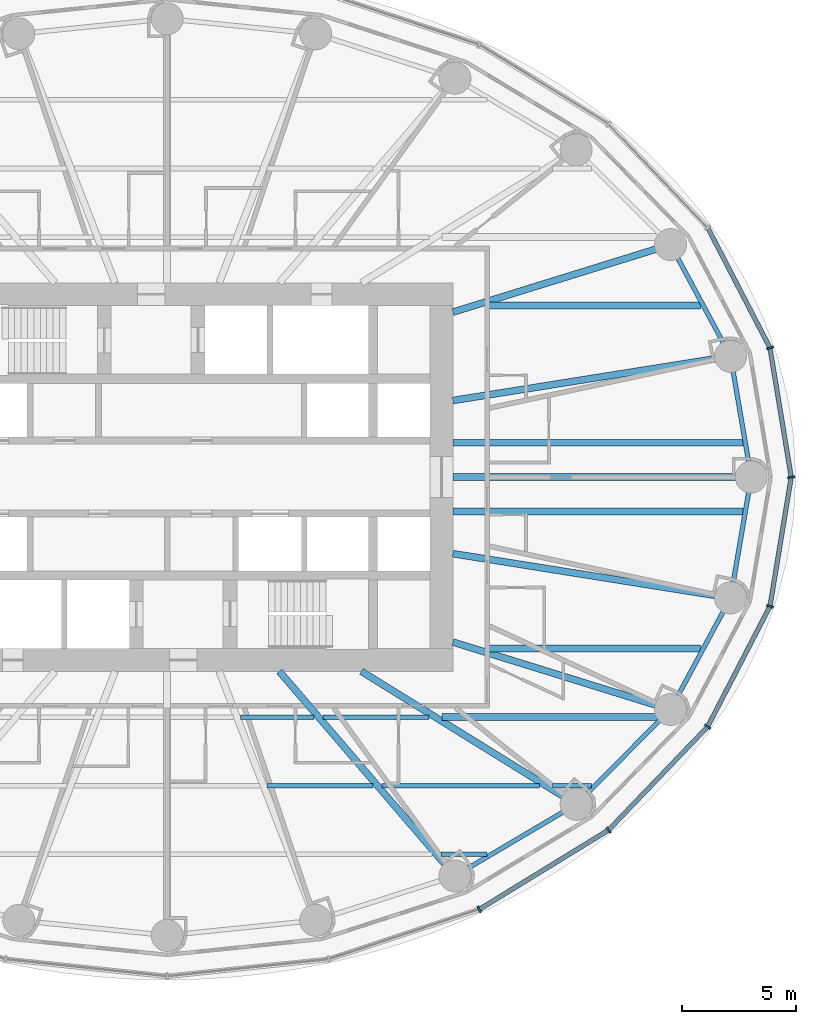
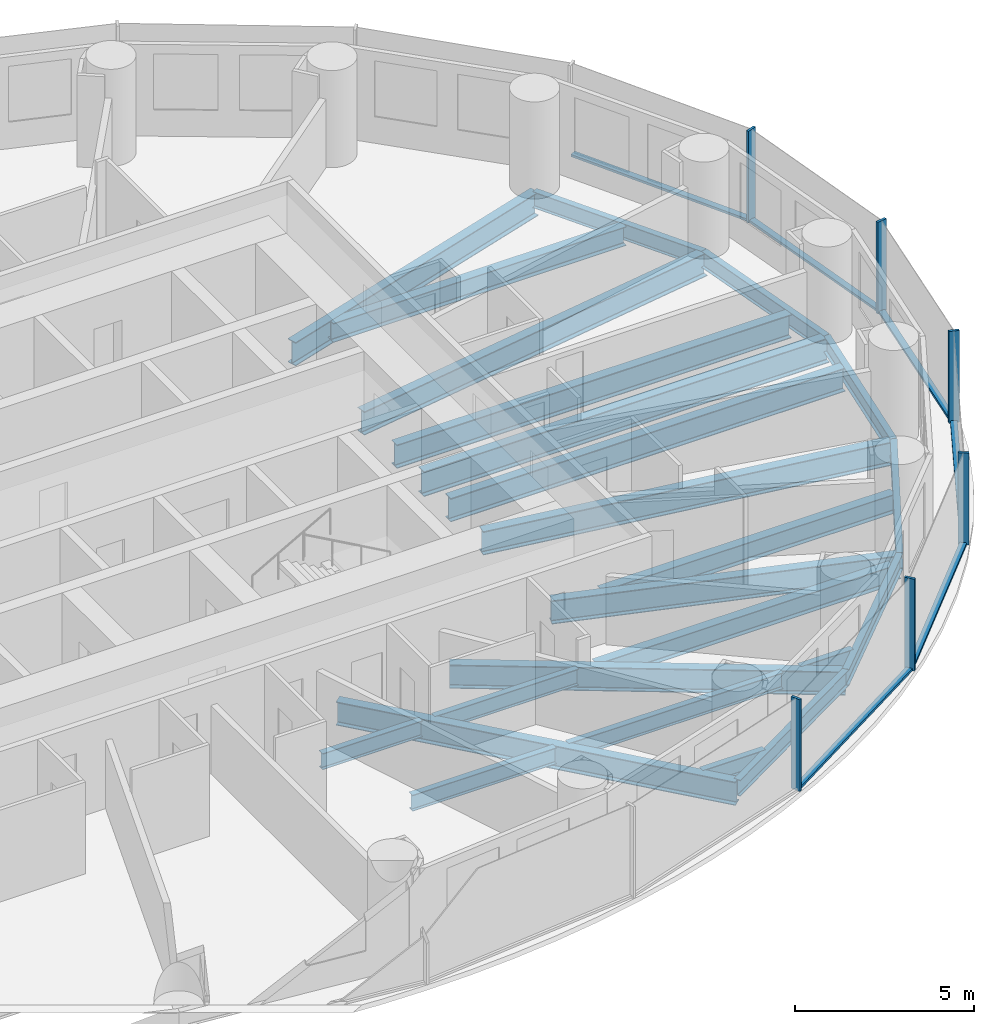
# One storey, part 3 of 14: 24 beams, 12 members, 2 elements without a shape of their own.
"""IFC4 building model written with IfcOpenShell, lengths in metres."""

from ifc_helpers import new_model, si_unit, direction, frame, origin, origin_2d, place, context, subcontext, project, spatial, rectangle, i_section, extrude, material, material_profile, profile_set, type_object, element, aggregate, save


model = new_model("IFC4")

# Units and contexts
model_context = context("Model", 3, precision=1e-05, world=origin(), true_north=direction((0.0, 1.0)))
body_context = subcontext(model_context, "Body", "Model", "MODEL_VIEW")
ifc_project = project(units=[si_unit("LENGTHUNIT", "METRE"), si_unit("AREAUNIT", "SQUARE_METRE"), si_unit("VOLUMEUNIT", "CUBIC_METRE"), si_unit("PLANEANGLEUNIT", "RADIAN"), si_unit("MASSUNIT", "GRAM", prefix="KILO")], contexts=[model_context])

# Site, building, storey
site_placement = place(None, origin())
site = spatial("IfcSite", under=ifc_project, at=site_placement, CompositionType="ELEMENT")
building_placement = place(site_placement, origin())
building = spatial("IfcBuilding", under=site, at=building_placement, Name="Hankou Lantern Tower", CompositionType="ELEMENT")
storey_placement = place(building_placement, frame((0.0, 0.0, 67.199951171875)))
storey = spatial("IfcBuildingStorey", under=building, at=storey_placement, Name="L16", CompositionType="ELEMENT", Elevation=67.199951171875)

# Beams
ifc_material_1 = material(Name="Steel Q355B", Category="steel")
ifc_material_profile_1 = material_profile(ifc_material_1, i_section(OverallWidth=0.199951171875, OverallDepth=0.550048828125, WebThickness=0.010009765625, FlangeThickness=0.01611328125, FilletRadius=0.012939453125, at=origin_2d()), Name="HN550x200x10x16")
ifc_profile_set_1 = profile_set([ifc_material_profile_1], Name="Steel Q355B")
beam_type_1 = type_object("IfcBeamType", Name="EB6 RING BEAM HN550x200x10x16", PredefinedType="SPANDREL", material=ifc_profile_set_1)
beam_1_placement = place(storey_placement, frame((25.550048828125, 0.0, -0.454833984375), z_axis=(-0.168489691988, 0.985703415685, 0.0), x_axis=(-0.985703415685, -0.168489691988, 0.0)))
element("IfcBeam", 1, at=beam_1_placement, inside=storey, type_object=beam_type_1, Name="Ring beam R01-R02 L16", PredefinedType="SPANDREL", context=body_context, shape_type="SweptSolid", body=[
    extrude(i_section(OverallWidth=0.199951171875, OverallDepth=0.550048828125, WebThickness=0.010009765625, FlangeThickness=0.01611328125, FilletRadius=0.012939453125, at=origin_2d()), origin(), (0.0, 0.0, 1.0), 5.35986328125),
])
beam_2_placement = place(storey_placement, frame((24.64697265625, 5.283203125, -0.454833984375), z_axis=(-0.473609096023, 0.880735161194, 0.0), x_axis=(-0.880735161194, -0.473609096023, 0.0)))
element("IfcBeam", 2, at=beam_2_placement, inside=storey, type_object=beam_type_1, Name="Ring beam R02-R03 L16", PredefinedType="SPANDREL", context=body_context, shape_type="SweptSolid", body=[
    extrude(i_section(OverallWidth=0.199951171875, OverallDepth=0.550048828125, WebThickness=0.010009765625, FlangeThickness=0.01611328125, FilletRadius=0.012939453125, at=origin_2d()), origin(), (0.0, 0.0, 1.0), 5.548828125),
])
beam_3_placement = place(storey_placement, frame((12.5908203125, -17.446533203125, -0.454833984375), z_axis=(0.860881533543, 0.508805449268, 0.0), x_axis=(-0.508805449268, 0.860881533543, 0.0)))
element("IfcBeam", 3, at=beam_3_placement, inside=storey, type_object=beam_type_1, Name="Ring beam R21-R22 L16", PredefinedType="SPANDREL", context=body_context, shape_type="SweptSolid", body=[
    extrude(i_section(OverallWidth=0.199951171875, OverallDepth=0.550048828125, WebThickness=0.010009765625, FlangeThickness=0.01611328125, FilletRadius=0.012939453125, at=origin_2d()), origin(), (0.0, 0.0, 1.0), 6.15771484375),
])
beam_4_placement = place(storey_placement, frame((17.891845703125, -14.3134765625, -0.454833984375), z_axis=(0.705727798394, 0.708483079949, 0.0), x_axis=(-0.708483079949, 0.705727798394, 0.0)))
element("IfcBeam", 4, at=beam_4_placement, inside=storey, type_object=beam_type_1, Name="Ring beam R22-R23 L16", PredefinedType="SPANDREL", context=body_context, shape_type="SweptSolid", body=[
    extrude(i_section(OverallWidth=0.199951171875, OverallDepth=0.550048828125, WebThickness=0.010009765625, FlangeThickness=0.01611328125, FilletRadius=0.012939453125, at=origin_2d()), origin(), (0.0, 0.0, 1.0), 5.84814453125),
])
beam_5_placement = place(storey_placement, frame((22.01904296875, -10.170166015625, -0.454833984375), z_axis=(0.473609096023, 0.880735161194, 0.0), x_axis=(-0.880735161194, 0.473609096023, 0.0)))
element("IfcBeam", 5, at=beam_5_placement, inside=storey, type_object=beam_type_1, Name="Ring beam R23-R24 L16", PredefinedType="SPANDREL", context=body_context, shape_type="SweptSolid", body=[
    extrude(i_section(OverallWidth=0.199951171875, OverallDepth=0.550048828125, WebThickness=0.010009765625, FlangeThickness=0.01611328125, FilletRadius=0.012939453125, at=origin_2d()), origin(), (0.0, 0.0, 1.0), 5.548828125),
])
beam_6_placement = place(storey_placement, frame((24.64697265625, -5.283203125, -0.454833984375), z_axis=(0.168489691988, 0.985703415685, 0.0), x_axis=(-0.985703415685, 0.168489691988, 0.0)))
element("IfcBeam", 6, at=beam_6_placement, inside=storey, type_object=beam_type_1, Name="Ring beam R24-R01 L16", PredefinedType="SPANDREL", context=body_context, shape_type="SweptSolid", body=[
    extrude(i_section(OverallWidth=0.199951171875, OverallDepth=0.550048828125, WebThickness=0.010009765625, FlangeThickness=0.01611328125, FilletRadius=0.012939453125, at=origin_2d()), origin(), (0.0, 0.0, 1.0), 5.35986328125),
])

# Curtain wall, members
ifc_material_2 = material(Name="Glass, dark grey tinted laminated", Category="glass")
curtain_wall_type = type_object("IfcCurtainWallType", Name="CWA OUTER SKIN LOW-RISE", PredefinedType="USERDEFINED", material=ifc_material_2)
curtain_wall_1_placement = place(storey_placement, origin())
curtain_wall_1 = element("IfcCurtainWall", 7, at=curtain_wall_1_placement, inside=storey, type_object=curtain_wall_type, Name="CWA L16 OS1", ObjectType="OUTER SKIN LOW-RISE", PredefinedType="USERDEFINED")
ifc_material_3 = material(Name="Aluminium, black anodised", Category="aluminium")
ifc_material_profile_2 = material_profile(ifc_material_3, rectangle(XDim=0.080078125, YDim=0.300048828125, at=origin_2d()), Name="MU1 80X300")
ifc_profile_set_2 = profile_set([ifc_material_profile_2], Name="Aluminium, black anodised")
member_type_1 = type_object("IfcMemberType", Name="MU1 OUTER SKIN MULLION 80X300", PredefinedType="MULLION", material=ifc_profile_set_2)
member_1_placement = place(storey_placement, frame((27.300048828125, 0.0, 0.0), z_axis=(0.0, 0.0, 1.0), x_axis=(-0.162381515188, 0.986728049427, 0.0)))
member_1 = element("IfcMember", 8, at=member_1_placement, type_object=member_type_1, Name="CWA mullion 1", PredefinedType="MULLION", context=body_context, shape_type="SweptSolid", body=[
    extrude(rectangle(XDim=0.080078125, YDim=0.300048828125, at=origin_2d()), origin(), (0.0, 0.0, 1.0), 3.1201171875),
])
member_2_placement = place(storey_placement, frame((26.369873046875, 5.652587890625, 0.0), z_axis=(0.0, 0.0, 1.0), x_axis=(-0.317595577365, 0.94822626479, 0.0)))
member_2 = element("IfcMember", 9, at=member_2_placement, type_object=member_type_1, Name="CWA mullion 2", PredefinedType="MULLION", context=body_context, shape_type="SweptSolid", body=[
    extrude(rectangle(XDim=0.080078125, YDim=0.300048828125, at=origin_2d()), origin(), (0.0, 0.0, 1.0), 3.1201171875),
])

curtain_wall_2_placement = place(storey_placement, origin())
curtain_wall_2 = element("IfcCurtainWall", 10, at=curtain_wall_2_placement, inside=storey, type_object=curtain_wall_type, Name="CWA L16 OS4", ObjectType="OUTER SKIN LOW-RISE", PredefinedType="USERDEFINED")
member_3_placement = place(storey_placement, frame((13.64990234375, -18.9140625, 0.0), z_axis=(0.0, 0.0, 1.0), x_axis=(0.907841299004, 0.419313934686, 0.0)))
member_3 = element("IfcMember", 11, at=member_3_placement, type_object=member_type_1, Name="CWA mullion 3", PredefinedType="MULLION", context=body_context, shape_type="SweptSolid", body=[
    extrude(rectangle(XDim=0.080078125, YDim=0.300048828125, at=origin_2d()), origin(), (0.0, 0.0, 1.0), 3.1201171875),
])
member_4_placement = place(storey_placement, frame((19.303955078125, -15.443115234375, 0.0), z_axis=(0.0, 0.0, 1.0), x_axis=(0.780868809444, 0.624695047553, 0.0)))
member_4 = element("IfcMember", 12, at=member_4_placement, type_object=member_type_1, Name="CWA mullion 4", PredefinedType="MULLION", context=body_context, shape_type="SweptSolid", body=[
    extrude(rectangle(XDim=0.080078125, YDim=0.300048828125, at=origin_2d()), origin(), (0.0, 0.0, 1.0), 3.1201171875),
])
member_5_placement = place(storey_placement, frame((23.642578125, -10.919921875, 0.0), z_axis=(0.0, 0.0, 1.0), x_axis=(0.585205735974, 0.810884854084, 0.0)))
member_5 = element("IfcMember", 13, at=member_5_placement, type_object=member_type_1, Name="CWA mullion 5", PredefinedType="MULLION", context=body_context, shape_type="SweptSolid", body=[
    extrude(rectangle(XDim=0.080078125, YDim=0.300048828125, at=origin_2d()), origin(), (0.0, 0.0, 1.0), 3.1201171875),
])
member_6_placement = place(storey_placement, frame((26.369873046875, -5.652587890625, 0.0), z_axis=(0.0, 0.0, 1.0), x_axis=(0.317595577365, 0.94822626479, 0.0)))
member_6 = element("IfcMember", 14, at=member_6_placement, type_object=member_type_1, Name="CWA mullion 6", PredefinedType="MULLION", context=body_context, shape_type="SweptSolid", body=[
    extrude(rectangle(XDim=0.080078125, YDim=0.300048828125, at=origin_2d()), origin(), (0.0, 0.0, 1.0), 3.1201171875),
])

# Beams
ifc_material_4 = material(Name="Steel Q355B", Category="steel")
ifc_material_profile_3 = material_profile(ifc_material_4, i_section(OverallWidth=0.300048828125, OverallDepth=0.800048828125, WebThickness=0.013916015625, FlangeThickness=0.02587890625, FilletRadius=0.01806640625, at=origin_2d()), Name="HN800x300x14x26")
ifc_profile_set_3 = profile_set([ifc_material_profile_3], Name="Steel Q355B")
beam_type_2 = type_object("IfcBeamType", Name="RB11 RADIAL BEAM HN800x300x14x26", PredefinedType="BEAM", material=ifc_profile_set_3)
beam_7_placement = place(storey_placement, frame((12.5, 3.349365234375, -0.579833984375), z_axis=(0.987563081343, 0.157223281893, 0.0), x_axis=(-0.157223281893, 0.987563081343, 0.0)))
element("IfcBeam", 15, at=beam_7_placement, inside=storey, type_object=beam_type_2, Name="Radial beam R02 L16", PredefinedType="BEAM", context=body_context, shape_type="SweptSolid", body=[
    extrude(i_section(OverallWidth=0.300048828125, OverallDepth=0.800048828125, WebThickness=0.013916015625, FlangeThickness=0.02587890625, FilletRadius=0.01806640625, at=origin_2d()), origin(), (0.0, 0.0, 1.0), 12.300048828125),
])
beam_8_placement = place(storey_placement, frame((12.5, 7.216796875, -0.579833984375), z_axis=(0.955087327755, 0.29632447817, 0.0), x_axis=(-0.29632447817, 0.955087327755, 0.0)))
element("IfcBeam", 16, at=beam_8_placement, inside=storey, type_object=beam_type_2, Name="Radial beam R03 L16", PredefinedType="BEAM", context=body_context, shape_type="SweptSolid", body=[
    extrude(i_section(OverallWidth=0.300048828125, OverallDepth=0.800048828125, WebThickness=0.013916015625, FlangeThickness=0.02587890625, FilletRadius=0.01806640625, at=origin_2d()), origin(), (0.0, 0.0, 1.0), 9.966552734375),
])
beam_9_placement = place(storey_placement, frame((4.907470703125, -8.5, -0.579833984375), z_axis=(0.651519061225, -0.758632264579, 0.0), x_axis=(0.758632264579, 0.651519061225, 0.0)))
element("IfcBeam", 17, at=beam_9_placement, inside=storey, type_object=beam_type_2, Name="Radial beam R21 L16", PredefinedType="BEAM", context=body_context, shape_type="SweptSolid", body=[
    extrude(i_section(OverallWidth=0.300048828125, OverallDepth=0.800048828125, WebThickness=0.013916015625, FlangeThickness=0.02587890625, FilletRadius=0.01806640625, at=origin_2d()), origin(), (0.0, 0.0, 1.0), 11.79296875),
])
beam_10_placement = place(storey_placement, frame((8.5, -8.5, -0.579833984375), z_axis=(0.850286343288, -0.526320372414, 0.0), x_axis=(0.526320372414, 0.850286343288, 0.0)))
element("IfcBeam", 18, at=beam_10_placement, inside=storey, type_object=beam_type_2, Name="Radial beam R22 L16", PredefinedType="BEAM", context=body_context, shape_type="SweptSolid", body=[
    extrude(i_section(OverallWidth=0.300048828125, OverallDepth=0.800048828125, WebThickness=0.013916015625, FlangeThickness=0.02587890625, FilletRadius=0.01806640625, at=origin_2d()), origin(), (0.0, 0.0, 1.0), 11.04541015625),
])
beam_11_placement = place(storey_placement, frame((12.5, -7.216796875, -0.579833984375), z_axis=(0.955087327755, -0.29632447817, 0.0), x_axis=(0.29632447817, 0.955087327755, 0.0)))
element("IfcBeam", 19, at=beam_11_placement, inside=storey, type_object=beam_type_2, Name="Radial beam R23 L16", PredefinedType="BEAM", context=body_context, shape_type="SweptSolid", body=[
    extrude(i_section(OverallWidth=0.300048828125, OverallDepth=0.800048828125, WebThickness=0.013916015625, FlangeThickness=0.02587890625, FilletRadius=0.01806640625, at=origin_2d()), origin(), (0.0, 0.0, 1.0), 9.966552734375),
])
beam_12_placement = place(storey_placement, frame((12.5, -3.349365234375, -0.579833984375), z_axis=(0.987563081343, -0.157223281893, 0.0), x_axis=(0.157223281893, 0.987563081343, 0.0)))
element("IfcBeam", 20, at=beam_12_placement, inside=storey, type_object=beam_type_2, Name="Radial beam R24 L16", PredefinedType="BEAM", context=body_context, shape_type="SweptSolid", body=[
    extrude(i_section(OverallWidth=0.300048828125, OverallDepth=0.800048828125, WebThickness=0.013916015625, FlangeThickness=0.02587890625, FilletRadius=0.01806640625, at=origin_2d()), origin(), (0.0, 0.0, 1.0), 12.300048828125),
])
ifc_material_5 = material(Name="Steel Q355B", Category="steel")
ifc_material_profile_4 = material_profile(ifc_material_5, i_section(OverallWidth=0.300048828125, OverallDepth=0.85009765625, WebThickness=0.01611328125, FlangeThickness=0.027099609375, FilletRadius=0.01806640625, at=origin_2d()), Name="HN850x300x16x27")
ifc_profile_set_4 = profile_set([ifc_material_profile_4], Name="Steel Q355B")
beam_type_3 = type_object("IfcBeamType", Name="RB12 RADIAL BEAM HN850x300x16x27", PredefinedType="BEAM", material=ifc_profile_set_4)
beam_13_placement = place(storey_placement, frame((12.5, 0.0, -0.60498046875), z_axis=(1.0, 0.0, 0.0), x_axis=(0.0, 1.0, 0.0)))
element("IfcBeam", 21, at=beam_13_placement, inside=storey, type_object=beam_type_3, Name="Radial beam R01 L16", PredefinedType="BEAM", context=body_context, shape_type="SweptSolid", body=[
    extrude(i_section(OverallWidth=0.300048828125, OverallDepth=0.85009765625, WebThickness=0.01611328125, FlangeThickness=0.027099609375, FilletRadius=0.01806640625, at=origin_2d()), origin(), (0.0, 0.0, 1.0), 13.050048828125),
])
ifc_material_6 = material(Name="Steel Q355B", Category="steel")
ifc_material_profile_5 = material_profile(ifc_material_6, i_section(OverallWidth=0.300048828125, OverallDepth=0.800048828125, WebThickness=0.013916015625, FlangeThickness=0.02587890625, FilletRadius=0.01806640625, at=origin_2d()), Name="HN800x300x14x26")
ifc_profile_set_5 = profile_set([ifc_material_profile_5], Name="Steel Q355B")
beam_type_4 = type_object("IfcBeamType", Name="SB11 SECONDARY BEAM HN800x300x14x26", PredefinedType="JOIST", material=ifc_profile_set_5)
for number, where, z_axis, x_axis, name in (
    (22, (12.5, -1.5, -0.579833984375), (1.0, 0.0, 0.0), (0.0, 1.0, 0.0), "Floor joist J030 L16"),
    (23, (12.5, 1.5, -0.579833984375), (1.0, 0.0, 0.0), (0.0, 1.0, 0.0), "Floor joist J032 L16"),
):
    element("IfcBeam", number, at=place(storey_placement, frame(where, z_axis=z_axis, x_axis=x_axis)), inside=storey, type_object=beam_type_4, Name=name, PredefinedType="JOIST", context=body_context, shape_type="SweptSolid", body=[
        extrude(i_section(OverallWidth=0.300048828125, OverallDepth=0.800048828125, WebThickness=0.013916015625, FlangeThickness=0.02587890625, FilletRadius=0.01806640625, at=origin_2d()), origin(), (0.0, 0.0, 1.0), 12.692138671875),
    ])
ifc_material_7 = material(Name="Steel Q355B", Category="steel")
ifc_material_profile_6 = material_profile(ifc_material_7, i_section(OverallWidth=0.199951171875, OverallDepth=0.550048828125, WebThickness=0.010009765625, FlangeThickness=0.01611328125, FilletRadius=0.012939453125, at=origin_2d()), Name="HN550x200x10x16")
ifc_profile_set_6 = profile_set([ifc_material_profile_6], Name="Steel Q355B")
beam_type_5 = type_object("IfcBeamType", Name="SB6 SECONDARY BEAM HN550x200x10x16", PredefinedType="JOIST", material=ifc_profile_set_6)
beam_14_placement = place(storey_placement, frame((11.975830078125, -16.5, -0.454833984375), z_axis=(1.0, 0.0, 0.0), x_axis=(0.0, 1.0, 0.0)))
element("IfcBeam", 24, at=beam_14_placement, inside=storey, type_object=beam_type_5, Name="Floor joist J006 L16", PredefinedType="JOIST", context=body_context, shape_type="SweptSolid", body=[
    extrude(i_section(OverallWidth=0.199951171875, OverallDepth=0.550048828125, WebThickness=0.010009765625, FlangeThickness=0.01611328125, FilletRadius=0.012939453125, at=origin_2d()), origin(), (0.0, 0.0, 1.0), 2.019775390625),
])
beam_15_placement = place(storey_placement, frame((4.37451171875, -13.5, -0.454833984375), z_axis=(1.0, 0.0, 0.0), x_axis=(0.0, 1.0, 0.0)))
element("IfcBeam", 25, at=beam_15_placement, inside=storey, type_object=beam_type_5, Name="Floor joist J012 L16", PredefinedType="JOIST", context=body_context, shape_type="SweptSolid", body=[
    extrude(i_section(OverallWidth=0.199951171875, OverallDepth=0.550048828125, WebThickness=0.010009765625, FlangeThickness=0.01611328125, FilletRadius=0.012939453125, at=origin_2d()), origin(), (0.0, 0.0, 1.0), 4.62939453125),
])
beam_16_placement = place(storey_placement, frame((9.3994140625, -13.5, -0.454833984375), z_axis=(1.0, 0.0, 0.0), x_axis=(0.0, 1.0, 0.0)))
element("IfcBeam", 26, at=beam_16_placement, inside=storey, type_object=beam_type_5, Name="Floor joist J013 L16", PredefinedType="JOIST", context=body_context, shape_type="SweptSolid", body=[
    extrude(i_section(OverallWidth=0.199951171875, OverallDepth=0.550048828125, WebThickness=0.010009765625, FlangeThickness=0.01611328125, FilletRadius=0.012939453125, at=origin_2d()), origin(), (0.0, 0.0, 1.0), 6.893310546875),
])
beam_17_placement = place(storey_placement, frame((16.86279296875, -13.5, -0.454833984375), z_axis=(1.0, 0.0, 0.0), x_axis=(0.0, 1.0, 0.0)))
element("IfcBeam", 27, at=beam_17_placement, inside=storey, type_object=beam_type_5, Name="Floor joist J014 L16", PredefinedType="JOIST", context=body_context, shape_type="SweptSolid", body=[
    extrude(i_section(OverallWidth=0.199951171875, OverallDepth=0.550048828125, WebThickness=0.010009765625, FlangeThickness=0.01611328125, FilletRadius=0.012939453125, at=origin_2d()), origin(), (0.0, 0.0, 1.0), 1.697998046875),
])
beam_18_placement = place(storey_placement, frame((3.212890625, -10.5, -0.454833984375), z_axis=(1.0, 0.0, 0.0), x_axis=(0.0, 1.0, 0.0)))
element("IfcBeam", 28, at=beam_18_placement, inside=storey, type_object=beam_type_5, Name="Floor joist J020 L16", PredefinedType="JOIST", context=body_context, shape_type="SweptSolid", body=[
    extrude(i_section(OverallWidth=0.199951171875, OverallDepth=0.550048828125, WebThickness=0.010009765625, FlangeThickness=0.01611328125, FilletRadius=0.012939453125, at=origin_2d()), origin(), (0.0, 0.0, 1.0), 3.214599609375),
])
beam_19_placement = place(storey_placement, frame((6.82275390625, -10.5, -0.454833984375), z_axis=(1.0, 0.0, 0.0), x_axis=(0.0, 1.0, 0.0)))
element("IfcBeam", 29, at=beam_19_placement, inside=storey, type_object=beam_type_5, Name="Floor joist J021 L16", PredefinedType="JOIST", context=body_context, shape_type="SweptSolid", body=[
    extrude(i_section(OverallWidth=0.199951171875, OverallDepth=0.550048828125, WebThickness=0.010009765625, FlangeThickness=0.01611328125, FilletRadius=0.012939453125, at=origin_2d()), origin(), (0.0, 0.0, 1.0), 4.623291015625),
])
ifc_material_8 = material(Name="Steel Q355B", Category="steel")
ifc_material_profile_7 = material_profile(ifc_material_8, i_section(OverallWidth=0.300048828125, OverallDepth=0.64990234375, WebThickness=0.010986328125, FlangeThickness=0.01708984375, FilletRadius=0.01806640625, at=origin_2d()), Name="HN650x300x11x17")
ifc_profile_set_7 = profile_set([ifc_material_profile_7], Name="Steel Q355B")
beam_type_6 = type_object("IfcBeamType", Name="SB8 SECONDARY BEAM HN650x300x11x17", PredefinedType="JOIST", material=ifc_profile_set_7)
beam_20_placement = place(storey_placement, frame((12.01611328125, -10.5, -0.5048828125), z_axis=(1.0, 0.0, 0.0), x_axis=(0.0, 1.0, 0.0)))
element("IfcBeam", 30, at=beam_20_placement, inside=storey, type_object=beam_type_6, Name="Floor joist J022 L16", PredefinedType="JOIST", context=body_context, shape_type="SweptSolid", body=[
    extrude(i_section(OverallWidth=0.300048828125, OverallDepth=0.64990234375, WebThickness=0.010986328125, FlangeThickness=0.01708984375, FilletRadius=0.01806640625, at=origin_2d()), origin(), (0.0, 0.0, 1.0), 9.533203125),
])
for number, where, z_axis, x_axis, name in (
    (31, (13.918701171875, -7.5, -0.5048828125), (1.0, 0.0, 0.0), (0.0, 1.0, 0.0), "Floor joist J024 L16"),
    (32, (13.918701171875, 7.5, -0.5048828125), (1.0, 0.0, 0.0), (0.0, 1.0, 0.0), "Floor joist J038 L16"),
):
    element("IfcBeam", number, at=place(storey_placement, frame(where, z_axis=z_axis, x_axis=x_axis)), inside=storey, type_object=beam_type_6, Name=name, PredefinedType="JOIST", context=body_context, shape_type="SweptSolid", body=[
        extrude(i_section(OverallWidth=0.300048828125, OverallDepth=0.64990234375, WebThickness=0.010986328125, FlangeThickness=0.01708984375, FilletRadius=0.01806640625, at=origin_2d()), origin(), (0.0, 0.0, 1.0), 9.4228515625),
    ])

# Member
ifc_material_9 = material(Name="Aluminium, black anodised", Category="aluminium")
ifc_material_profile_8 = material_profile(ifc_material_9, rectangle(XDim=0.199951171875, YDim=0.080078125, at=origin_2d()), Name="TR1 200X80")
ifc_profile_set_8 = profile_set([ifc_material_profile_8], Name="Aluminium, black anodised")
member_type_2 = type_object("IfcMemberType", Name="TR1 OUTER SKIN TRANSOM 200X80", PredefinedType="USERDEFINED", material=ifc_profile_set_8)
member_7_placement = place(storey_placement, frame((27.29345703125, 0.03955078125, 0.0400390625), z_axis=(-0.162387045529, 0.986727139307, 0.0), x_axis=(-0.986727139307, -0.162387045529, 0.0)))
member_7 = element("IfcMember", 33, at=member_7_placement, type_object=member_type_2, Name="CWA transom 1", ObjectType="TRANSOM", PredefinedType="USERDEFINED", context=body_context, shape_type="SweptSolid", body=[
    extrude(rectangle(XDim=0.199951171875, YDim=0.080078125, at=origin_2d()), origin(), (0.0, 0.0, 1.0), 5.6484375),
])

member_8_placement = place(storey_placement, frame((26.351318359375, 5.688232421875, 0.0400390625), z_axis=(-0.459786096495, 0.888029698529, 0.0), x_axis=(-0.888029698529, -0.459786096495, 0.0)))
member_8 = element("IfcMember", 34, at=member_8_placement, type_object=member_type_2, Name="CWA transom 2", ObjectType="TRANSOM", PredefinedType="USERDEFINED", context=body_context, shape_type="SweptSolid", body=[
    extrude(rectangle(XDim=0.199951171875, YDim=0.080078125, at=origin_2d()), origin(), (0.0, 0.0, 1.0), 5.8515625),
])

aggregate(curtain_wall_1, [member_1, member_2, member_7, member_8])

member_9_placement = place(storey_placement, frame((13.68408203125, -18.89306640625, 0.0400390625), z_axis=(0.85223969557, 0.523151508929, 0.0), x_axis=(-0.523151508929, 0.85223969557, 0.0)))
member_9 = element("IfcMember", 35, at=member_9_placement, type_object=member_type_2, Name="CWA transom 3", ObjectType="TRANSOM", PredefinedType="USERDEFINED", context=body_context, shape_type="SweptSolid", body=[
    extrude(rectangle(XDim=0.199951171875, YDim=0.080078125, at=origin_2d()), origin(), (0.0, 0.0, 1.0), 6.554443359375),
])

member_10_placement = place(storey_placement, frame((19.331787109375, -15.414306640625, 0.0400390625), z_axis=(0.692215537374, 0.721690827029, 0.0), x_axis=(-0.721690827029, 0.692215537374, 0.0)))
member_10 = element("IfcMember", 36, at=member_10_placement, type_object=member_type_2, Name="CWA transom 4", ObjectType="TRANSOM", PredefinedType="USERDEFINED", context=body_context, shape_type="SweptSolid", body=[
    extrude(rectangle(XDim=0.199951171875, YDim=0.080078125, at=origin_2d()), origin(), (0.0, 0.0, 1.0), 6.187255859375),
])

member_11_placement = place(storey_placement, frame((23.660888671875, -10.884521484375, 0.0400390625), z_axis=(0.459786096495, 0.888029698529, 0.0), x_axis=(-0.888029698529, 0.459786096495, 0.0)))
member_11 = element("IfcMember", 37, at=member_11_placement, type_object=member_type_2, Name="CWA transom 5", ObjectType="TRANSOM", PredefinedType="USERDEFINED", context=body_context, shape_type="SweptSolid", body=[
    extrude(rectangle(XDim=0.199951171875, YDim=0.080078125, at=origin_2d()), origin(), (0.0, 0.0, 1.0), 5.8515625),
])

member_12_placement = place(storey_placement, frame((26.376220703125, -5.613037109375, 0.0400390625), z_axis=(0.162387045529, 0.986727139307, 0.0), x_axis=(-0.986727139307, 0.162387045529, 0.0)))
member_12 = element("IfcMember", 38, at=member_12_placement, type_object=member_type_2, Name="CWA transom 6", ObjectType="TRANSOM", PredefinedType="USERDEFINED", context=body_context, shape_type="SweptSolid", body=[
    extrude(rectangle(XDim=0.199951171875, YDim=0.080078125, at=origin_2d()), origin(), (0.0, 0.0, 1.0), 5.6484375),
])

aggregate(curtain_wall_2, [member_3, member_4, member_5, member_6, member_9, member_10, member_11, member_12])

save(model, "model.ifc")
